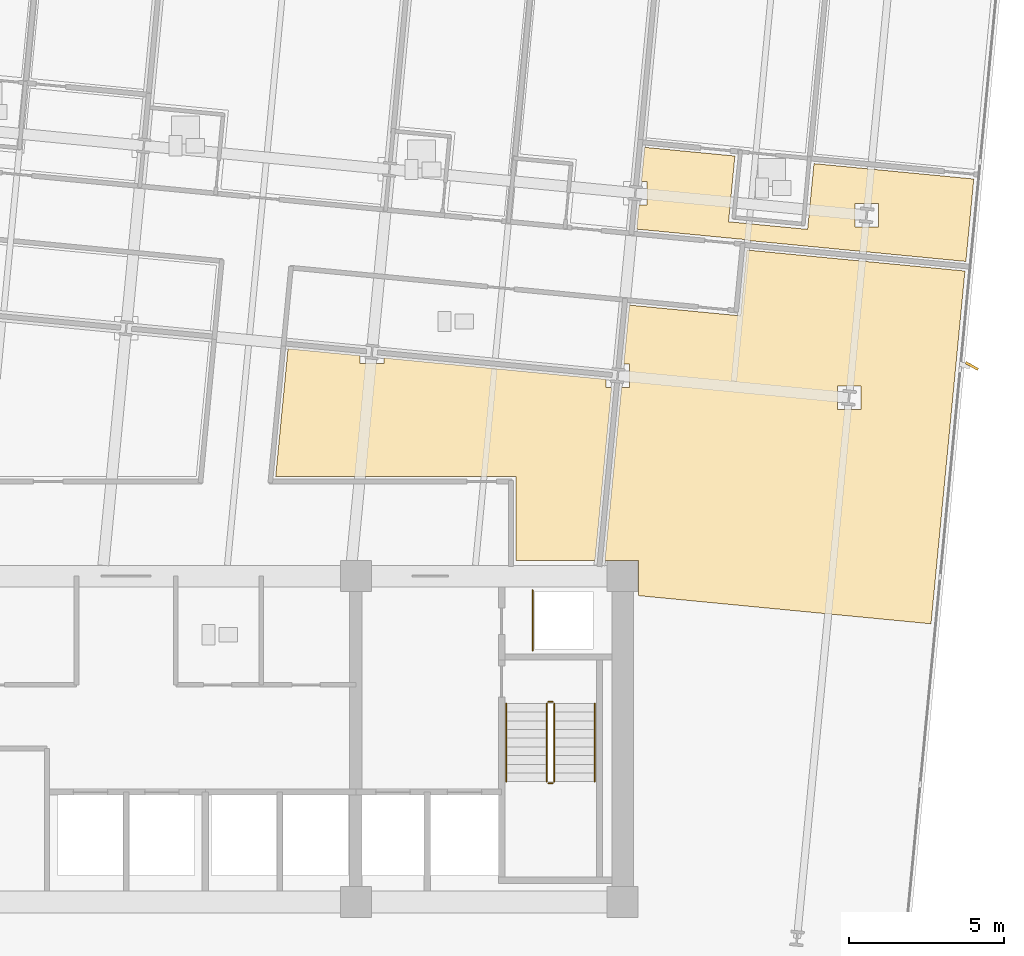
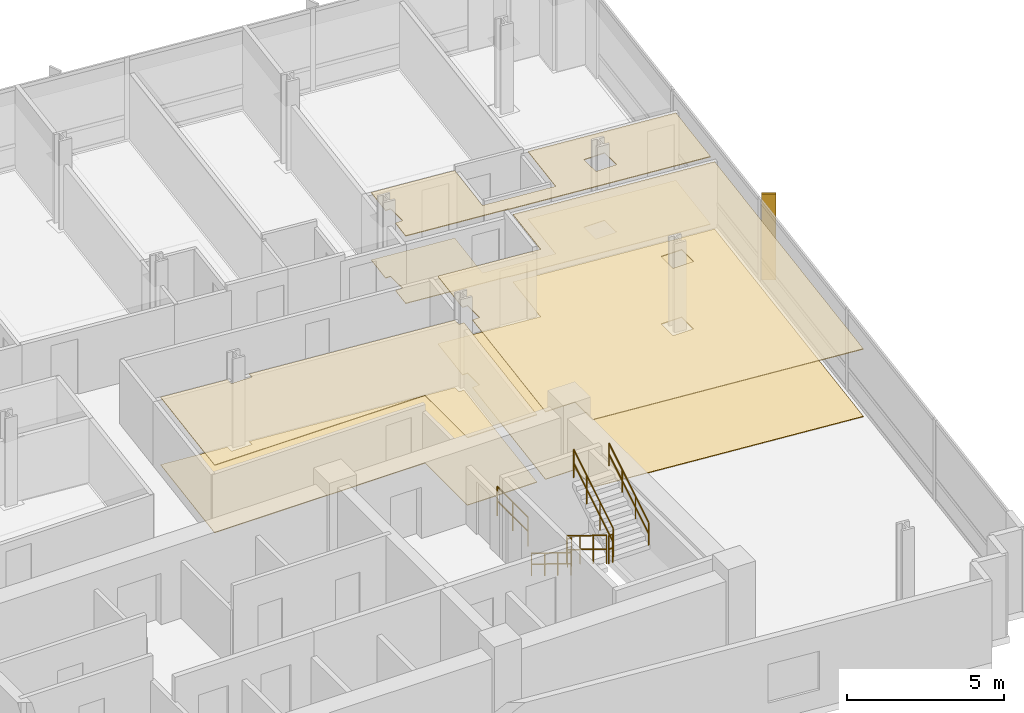
# One storey, part 15 of 17: 7 railings, 6 coverings, 1 shading device.
"""IFC4 building model written with IfcOpenShell, lengths in metres."""

import ifcopenshell
import ifcopenshell.guid

model = None  # the IFC model being written
_history = None  # IfcOwnerHistory: only IFC2X3 demands one
_inside = {}  # id of a spatial element -> (the spatial element, [elements in it])
_under = {}  # id of a project, library or spatial element -> (it, [spatial elements below it])
_declared = {}  # id of a project -> (the project, [libraries it declares])
_typed = {}  # id of a type object -> (the type object, [elements of that type])
_made_of = {}  # id of a material, layer set ... -> (it, [elements and type objects made of it])


def new_model(schema):
    """Start an empty IFC model of exactly this schema.

    Asked for "IFC4X3", IfcOpenShell would pick the latest addendum, in which some entities
    have other attributes; the version numbers below select the first issue.
    IFC2X3 requires an IfcOwnerHistory on every rooted entity: one is made here for all.
    """
    global model, _history
    if schema == "IFC4X3":
        model = ifcopenshell.file(schema_version=(4, 3, 0, 0))
    else:
        model = ifcopenshell.file(schema=schema)
    _inside.clear()
    _under.clear()
    _declared.clear()
    _typed.clear()
    _made_of.clear()
    _history = None
    if model.schema == "IFC2X3":
        org = make("IfcOrganization", Name="unknown")
        user = make(
            "IfcPersonAndOrganization",
            ThePerson=make("IfcPerson", FamilyName="unknown"),
            TheOrganization=org,
        )
        app = make(
            "IfcApplication",
            ApplicationDeveloper=org,
            Version="unknown",
            ApplicationFullName="unknown",
            ApplicationIdentifier="unknown",
        )
        _history = make(
            "IfcOwnerHistory",
            OwningUser=user,
            OwningApplication=app,
            ChangeAction="ADDED",
            CreationDate=0,
        )
    return model


def make(cls, **values):
    """One entity of the class cls with the attributes given. An attribute that is None is left unset."""
    return model.create_entity(
        cls, **{name: value for name, value in values.items() if value is not None}
    )


def rooted(cls, **values):
    """An entity with a GlobalId (a new one), such as an element, a storey or a relation."""
    return make(cls, GlobalId=ifcopenshell.guid.new(), OwnerHistory=_history, **values)


def si_unit(unit_type, name, prefix=None):
    """IfcSIUnit, for example si_unit("LENGTHUNIT", "METRE", prefix="MILLI")."""
    return make("IfcSIUnit", UnitType=unit_type, Prefix=prefix, Name=name)


def assignment(units):
    """IfcUnitAssignment: the units of a project."""
    return None if units is None else make("IfcUnitAssignment", Units=units)


def point(xyz):
    """IfcCartesianPoint."""
    return None if xyz is None else make("IfcCartesianPoint", Coordinates=xyz)


def direction(xyz):
    """IfcDirection."""
    return None if xyz is None else make("IfcDirection", DirectionRatios=xyz)


def frame(location, z_axis=None, x_axis=None):
    """IfcAxis2Placement3D, a coordinate frame: its origin and axes. An axis left out is left unset."""
    return make(
        "IfcAxis2Placement3D",
        Location=point(location),
        Axis=direction(z_axis),
        RefDirection=direction(x_axis),
    )


def frame_2d(location, x_axis=None):
    """IfcAxis2Placement2D, a coordinate frame in the plane: its origin and x axis."""
    return make(
        "IfcAxis2Placement2D", Location=point(location), RefDirection=direction(x_axis)
    )


def origin():
    """The frame at (0, 0, 0) with its axes left unset."""
    return frame((0.0, 0.0, 0.0))


def origin_2d():
    """The frame at (0, 0) in the plane with its x axis left unset."""
    return frame_2d((0.0, 0.0))


def place(relative_to, where):
    """IfcLocalPlacement: puts the frame where relative to a parent placement (None: the world)."""
    return make(
        "IfcLocalPlacement", PlacementRelTo=relative_to, RelativePlacement=where
    )


def context(
    kind, dimensions, precision=None, world=None, true_north=None, identifier=None
):
    """IfcGeometricRepresentationContext, for example the 3D "Model" context."""
    return make(
        "IfcGeometricRepresentationContext",
        ContextIdentifier=identifier,
        ContextType=kind,
        CoordinateSpaceDimension=dimensions,
        Precision=precision,
        WorldCoordinateSystem=world,
        TrueNorth=true_north,
    )


def subcontext(parent, identifier, kind, view, scale=None):
    """IfcGeometricRepresentationSubContext, for example "Body" below "Model"."""
    return make(
        "IfcGeometricRepresentationSubContext",
        ContextIdentifier=identifier,
        ContextType=kind,
        ParentContext=parent,
        TargetScale=scale,
        TargetView=view,
    )


def project(units=None, contexts=None):
    """IfcProject with its units and contexts."""
    return rooted(
        "IfcProject",
        Name="project",
        RepresentationContexts=contexts,
        UnitsInContext=assignment(units),
    )


def spatial(cls, under=None, at=None, **own):
    """A site, building, storey or space (cls), placed at a placement, below another one or the project."""
    s = rooted(cls, ObjectPlacement=at, **own)
    if under is not None:
        _under.setdefault(under.id(), (under, []))[1].append(s)
    return s


def polyline(points):
    """IfcPolyline through the points."""
    return make("IfcPolyline", Points=[point(p) for p in points])


def profile(cls, at=None, kind="AREA", **sizes):
    """A parametric profile (cls). Its sizes go by their IFC names, for example OverallWidth=200.0."""
    return make(cls, ProfileType=kind, Position=at, **sizes)


def rectangle(**sizes):
    """IfcRectangleProfileDef."""
    return profile("IfcRectangleProfileDef", **sizes)


def circle(**sizes):
    """IfcCircleProfileDef."""
    return profile("IfcCircleProfileDef", **sizes)


def outline(outer, holes=None, kind="AREA"):
    """IfcArbitraryClosedProfileDef: a profile drawn as a closed curve; with holes, ...WithVoids."""
    if holes is None:
        return make("IfcArbitraryClosedProfileDef", ProfileType=kind, OuterCurve=outer)
    return make(
        "IfcArbitraryProfileDefWithVoids",
        ProfileType=kind,
        OuterCurve=outer,
        InnerCurves=holes,
    )


def extrude(swept, where, along, depth):
    """IfcExtrudedAreaSolid: the profile swept, set in the frame where, extruded along a direction by depth."""
    return make(
        "IfcExtrudedAreaSolid",
        SweptArea=swept,
        Position=where,
        ExtrudedDirection=direction(along),
        Depth=depth,
    )


def shape(context_of_items, identifier, shape_type, items):
    """IfcShapeRepresentation: the items that make up one representation, for example the "Body"."""
    return make(
        "IfcShapeRepresentation",
        ContextOfItems=context_of_items,
        RepresentationIdentifier=identifier,
        RepresentationType=shape_type,
        Items=items,
    )


def material(Name=None, Category=None):
    """IfcMaterial."""
    return make("IfcMaterial", Name=Name, Category=Category)


def layer(
    of_material, thickness, ventilated=None, Name=None, Category=None, Priority=None
):
    """IfcMaterialLayer: one layer of a wall or slab, of a material (None: an air gap)."""
    return make(
        "IfcMaterialLayer",
        Material=of_material,
        LayerThickness=thickness,
        IsVentilated=ventilated,
        Name=Name,
        Category=Category,
        Priority=Priority,
    )


def layer_set(layers, Name=None):
    """IfcMaterialLayerSet."""
    return make("IfcMaterialLayerSet", MaterialLayers=layers, LayerSetName=Name)


def made_of(thing, what):
    """Note that an element or type object is made of a material, layer set ...; save() writes the relation."""
    if what is not None:
        _made_of.setdefault(what.id(), (what, []))[1].append(thing)
    return thing


def type_object(cls, material=None, **own):
    """A type object (cls), such as IfcWallType, which elements share."""
    return made_of(rooted(cls, **own), material)


def element(
    cls,
    number,
    at=None,
    inside=None,
    cuts=None,
    type_object=None,
    material=None,
    context=None,
    identifier="Body",
    shape_type=None,
    held_by="IfcProductDefinitionShape",
    body=None,
    shapes=None,
    **own,
):
    """One element of the class cls, such as IfcWall. Its Tag is "e" and its number.

    at: its placement. inside: the storey or other place that contains it. cuts: it is an
    opening in that element (IfcRelVoidsElement). A single representation is given by context,
    identifier, shape_type and body (its items); several are given by shapes. held_by: the class
    of the entity that holds the representations. save() writes the other relations.
    """
    e = rooted(cls, Tag="e%d" % number, ObjectPlacement=at, **own)
    if body is not None:
        shapes = [shape(context, identifier, shape_type, body)]
    if shapes is not None:
        e.Representation = make(held_by, Representations=shapes)
    if inside is not None:
        _inside.setdefault(inside.id(), (inside, []))[1].append(e)
    if cuts is not None:
        rooted(
            "IfcRelVoidsElement", RelatingBuildingElement=cuts, RelatedOpeningElement=e
        )
    if type_object is not None:
        _typed.setdefault(type_object.id(), (type_object, []))[1].append(e)
    return made_of(e, material)


def aggregate(whole, parts):
    """IfcRelAggregates: a whole, such as a stair, and the parts it consists of."""
    return rooted("IfcRelAggregates", RelatingObject=whole, RelatedObjects=parts)


def save(model, path):
    """Write the relations noted so far, then the file.

    IfcRelAggregates (storeys below a building ...), IfcRelContainedInSpatialStructure (elements
    in a storey), IfcRelDefinesByType, IfcRelAssociatesMaterial and IfcRelDeclares: one each for
    every whole, place, type object, material and project.
    """
    for whole, parts in _under.values():
        aggregate(whole, parts)
    for where, things in _inside.values():
        rooted(
            "IfcRelContainedInSpatialStructure",
            RelatedElements=things,
            RelatingStructure=where,
        )
    for kind, things in _typed.values():
        rooted("IfcRelDefinesByType", RelatedObjects=things, RelatingType=kind)
    for what, things in _made_of.values():
        rooted("IfcRelAssociatesMaterial", RelatedObjects=things, RelatingMaterial=what)
    for by, libraries in _declared.values():
        rooted("IfcRelDeclares", RelatingContext=by, RelatedDefinitions=libraries)
    model.write(path)


model = new_model("IFC4")

# Units and contexts
model_context = context("Model", 3, precision=1e-05, world=origin(), true_north=direction((0.0, 1.0)))
body_context = subcontext(model_context, "Body", "Model", "MODEL_VIEW")
ifc_project = project(units=[si_unit("LENGTHUNIT", "METRE"), si_unit("AREAUNIT", "SQUARE_METRE"), si_unit("VOLUMEUNIT", "CUBIC_METRE"), si_unit("PLANEANGLEUNIT", "RADIAN"), si_unit("MASSUNIT", "GRAM", prefix="KILO")], contexts=[model_context])

# Site, building, storey
site_placement = place(None, origin())
site = spatial("IfcSite", under=ifc_project, at=site_placement, CompositionType="ELEMENT")
building_placement = place(site_placement, origin())
building = spatial("IfcBuilding", under=site, at=building_placement, Name="Solmavex Isthmus Hotel", CompositionType="ELEMENT")
storey_placement = place(building_placement, frame((0.0, 0.0, 142.800048828125)))
storey = spatial("IfcBuildingStorey", under=building, at=storey_placement, Name="L38", CompositionType="ELEMENT", Elevation=142.800048828125)

# Coverings
ifc_material_1 = material(Name="Gypsum plasterboard lining", Category="gypsum")
ifc_layer_1 = layer(ifc_material_1, 0.030029296875)
ifc_layer_set_1 = layer_set([ifc_layer_1], Name="Gypsum plasterboard lining")
covering_type_1 = type_object("IfcCoveringType", Name="COV-CEIL-GYP", PredefinedType="CEILING", material=ifc_layer_set_1)
covering_1_placement = place(storey_placement, frame((0.0, 0.0, 2.619873046875)))
element("IfcCovering", 1, at=covering_1_placement, inside=storey, type_object=covering_type_1, Name="Suspended Acoustic Ceiling L38-ST07-FY", PredefinedType="CEILING", context=body_context, shape_type="SweptSolid", body=[
    extrude(outline(polyline([(19.614501953125, 11.0390625), (16.703857421875, 11.3193359375), (16.5986328125, 10.22607421875), (16.786376953125, 10.22607421875), (16.786376953125, 9.466064453125), (16.525390625, 9.466064453125), (16.449951171875, 8.68359375), (20.033447265625, 8.33837890625), (20.031494140625, 8.318603515625), (27.05712890625, 7.64208984375), (27.312744140625, 10.2978515625), (22.16259765625, 10.793701171875), (21.958740234375, 8.675537109375), (19.410400390625, 8.9208984375), (19.614501953125, 11.0390625)]), holes=[polyline([(23.479736328125, 8.748291015625), (23.479736328125, 9.50830078125), (24.23974609375, 9.50830078125), (24.23974609375, 8.748291015625), (23.479736328125, 8.748291015625)])]), origin(), (0.0, 0.0, 1.0), 0.030029296875),
])
covering_2_placement = place(storey_placement, frame((0.0, 0.0, 2.619873046875)))
element("IfcCovering", 2, at=covering_2_placement, inside=storey, type_object=covering_type_1, Name="Suspended Acoustic Ceiling L38-FL10", PredefinedType="CEILING", context=body_context, shape_type="SweptSolid", body=[
    extrude(outline(polyline([(8.300537109375, 4.535400390625), (8.300537109375, 4.347900390625), (7.540771484375, 4.347900390625), (7.540771484375, 4.608642578125), (5.21533203125, 4.83251953125), (4.81787109375, 0.705078125), (12.554931640625, 0.705078125), (12.554931640625, -1.9951171875), (15.1103515625, -1.9951171875), (15.647705078125, 3.585205078125), (15.4599609375, 3.585205078125), (15.4599609375, 3.84619140625), (8.300537109375, 4.535400390625)])), origin(), (0.0, 0.0, 1.0), 0.030029296875),
])
covering_3_placement = place(storey_placement, frame((0.0, 0.0, 2.619873046875)))
element("IfcCovering", 3, at=covering_3_placement, inside=storey, type_object=covering_type_1, Name="Suspended Acoustic Ceiling L38-FL11", PredefinedType="CEILING", context=body_context, shape_type="SweptSolid", body=[
    extrude(outline(polyline([(16.0322265625, 4.34521484375), (16.219970703125, 4.34521484375), (16.219970703125, 3.585205078125), (15.959228515625, 3.585205078125), (15.421875, -1.9951171875), (16.5048828125, -1.9951171875), (16.5048828125, -3.126220703125), (25.932861328125, -4.033935546875), (26.603271484375, 2.928955078125), (27.02734375, 7.33349609375), (20.001953125, 8.010009765625), (19.797607421875, 5.8896484375), (16.21435546875, 6.23486328125), (16.0322265625, 4.34521484375)]), holes=[polyline([(22.91357421875, 2.867431640625), (22.91357421875, 3.62744140625), (23.673583984375, 3.62744140625), (23.673583984375, 2.867431640625), (22.91357421875, 2.867431640625)])]), origin(), (0.0, 0.0, 1.0), 0.030029296875),
])
ifc_material_2 = material(Name="Travertine natural stone", Category="masonry")
ifc_layer_2 = layer(ifc_material_2, 0.02490234375)
ifc_layer_set_2 = layer_set([ifc_layer_2], Name="Travertine natural stone")
covering_type_2 = type_object("IfcCoveringType", Name="COV-FLOR-STN", PredefinedType="FLOORING", material=ifc_layer_set_2)
covering_4_placement = place(storey_placement, origin())
element("IfcCovering", 4, at=covering_4_placement, inside=storey, type_object=covering_type_2, Name="Stone and Timber Floor Finish L38-ST07-FY", PredefinedType="FLOORING", context=body_context, shape_type="SweptSolid", body=[
    extrude(outline(polyline([(19.614501953125, 11.0390625), (16.703857421875, 11.3193359375), (16.5986328125, 10.22607421875), (16.786376953125, 10.22607421875), (16.786376953125, 9.466064453125), (16.525390625, 9.466064453125), (16.449951171875, 8.68359375), (20.033447265625, 8.33837890625), (20.031494140625, 8.318603515625), (27.05712890625, 7.64208984375), (27.312744140625, 10.2978515625), (22.16259765625, 10.793701171875), (21.958740234375, 8.675537109375), (19.410400390625, 8.9208984375), (19.614501953125, 11.0390625)]), holes=[polyline([(23.479736328125, 8.748291015625), (23.479736328125, 9.50830078125), (24.23974609375, 9.50830078125), (24.23974609375, 8.748291015625), (23.479736328125, 8.748291015625)])]), origin(), (0.0, 0.0, 1.0), 0.02490234375),
])
covering_5_placement = place(storey_placement, origin())
element("IfcCovering", 5, at=covering_5_placement, inside=storey, type_object=covering_type_2, Name="Stone and Timber Floor Finish L38-FL10", PredefinedType="FLOORING", context=body_context, shape_type="SweptSolid", body=[
    extrude(outline(polyline([(8.300537109375, 4.535400390625), (8.300537109375, 4.347900390625), (7.540771484375, 4.347900390625), (7.540771484375, 4.608642578125), (5.21533203125, 4.83251953125), (4.81787109375, 0.705078125), (12.554931640625, 0.705078125), (12.554931640625, -1.9951171875), (15.1103515625, -1.9951171875), (15.647705078125, 3.585205078125), (15.4599609375, 3.585205078125), (15.4599609375, 3.84619140625), (8.300537109375, 4.535400390625)])), origin(), (0.0, 0.0, 1.0), 0.02490234375),
])
covering_6_placement = place(storey_placement, origin())
element("IfcCovering", 6, at=covering_6_placement, inside=storey, type_object=covering_type_2, Name="Stone and Timber Floor Finish L38-FL11", PredefinedType="FLOORING", context=body_context, shape_type="SweptSolid", body=[
    extrude(outline(polyline([(16.0322265625, 4.34521484375), (16.219970703125, 4.34521484375), (16.219970703125, 3.585205078125), (15.959228515625, 3.585205078125), (15.421875, -1.9951171875), (16.5048828125, -1.9951171875), (16.5048828125, -3.126220703125), (25.932861328125, -4.033935546875), (26.603271484375, 2.928955078125), (27.02734375, 7.33349609375), (20.001953125, 8.010009765625), (19.797607421875, 5.8896484375), (16.21435546875, 6.23486328125), (16.0322265625, 4.34521484375)]), holes=[polyline([(22.91357421875, 2.867431640625), (22.91357421875, 3.62744140625), (23.673583984375, 3.62744140625), (23.673583984375, 2.867431640625), (22.91357421875, 2.867431640625)])]), origin(), (0.0, 0.0, 1.0), 0.02490234375),
])

# Railings
ifc_material_3 = material(Name="Clear low-E laminated glass", Category="glass")
ifc_layer_3 = layer(ifc_material_3, 0.080078125)
ifc_layer_set_3 = layer_set([ifc_layer_3], Name="Clear low-E laminated glass")
railing_type_1 = type_object("IfcRailingType", Name="RAIL-ATRIUM-1120", PredefinedType="BALUSTRADE", material=ifc_layer_set_3)
railing_1_placement = place(storey_placement, frame((13.10009765625, -4.89990234375, 0.0)))
element("IfcRailing", 7, at=railing_1_placement, inside=storey, type_object=railing_type_1, Name="Guardrail Balustrade L38-RSE-01", PredefinedType="BALUSTRADE", context=body_context, shape_type="SweptSolid", body=[
    extrude(circle(Radius=0.02392578125, at=origin_2d()), frame((0.0, 0.0, 1.1259765625), z_axis=(0.0, 1.0, 0.0), x_axis=(-1.0, 0.0, 0.0)), (0.0, 0.0, 1.0), 1.949951171875),
    extrude(circle(Radius=0.02392578125, at=origin_2d()), frame((0.0, 0.0, 0.574951171875), z_axis=(0.0, 1.0, 0.0), x_axis=(-1.0, 0.0, 0.0)), (0.0, 0.0, 1.0), 1.949951171875),
    extrude(circle(Radius=0.02099609375, at=origin_2d()), origin(), (0.0, 0.0, 1.0), 1.101806640625),
    extrude(circle(Radius=0.02099609375, at=origin_2d()), frame((0.0, 0.97509765625, 0.0)), (0.0, 0.0, 1.0), 1.101806640625),
    extrude(circle(Radius=0.02099609375, at=origin_2d()), frame((0.0, 1.949951171875, 0.0)), (0.0, 0.0, 1.0), 1.101806640625),
])
ifc_material_4 = material(Name="Stainless steel 316", Category="steel")
ifc_layer_4 = layer(ifc_material_4, 0.06005859375)
ifc_layer_set_4 = layer_set([ifc_layer_4], Name="Stainless steel 316")
railing_type_2 = type_object("IfcRailingType", Name="RAIL-STAIR-GD", PredefinedType="GUARDRAIL", material=ifc_layer_set_4)
railing_2_placement = place(storey_placement, frame((13.550048828125, -6.60009765625, 0.17236328125)))
element("IfcRailing", 8, at=railing_2_placement, inside=storey, type_object=railing_type_2, Name="L38 ST-2 stair guard 1", PredefinedType="GUARDRAIL", context=body_context, shape_type="SweptSolid", body=[
    extrude(circle(Radius=0.02392578125, at=origin_2d()), frame((0.0, 0.0, 1.09619140625), z_axis=(0.0, -0.851400495292, 0.524516154772), x_axis=(1.0, 0.0, 0.0)), (0.0, 0.0, 1.0), 2.9599609375),
    extrude(circle(Radius=0.02392578125, at=origin_2d()), frame((0.0, 0.0, 0.56005859375), z_axis=(0.0, -0.851400495292, 0.524516154772), x_axis=(1.0, 0.0, 0.0)), (0.0, 0.0, 1.0), 2.9599609375),
    extrude(circle(Radius=0.02099609375, at=origin_2d()), origin(), (0.0, 0.0, 1.0), 1.072021484375),
    extrude(circle(Radius=0.02099609375, at=origin_2d()), frame((0.0, -0.840087890625, 0.517578125)), (0.0, 0.0, 1.0), 1.072021484375),
    extrude(circle(Radius=0.02099609375, at=origin_2d()), frame((0.0, -1.679931640625, 1.034912109375)), (0.0, 0.0, 1.0), 1.072021484375),
    extrude(circle(Radius=0.02099609375, at=origin_2d()), frame((0.0, -2.52001953125, 1.552490234375)), (0.0, 0.0, 1.0), 1.072021484375),
])
railing_3_placement = place(storey_placement, frame((13.60009765625, -9.169921875, 1.724853515625)))
element("IfcRailing", 9, at=railing_3_placement, inside=storey, type_object=railing_type_2, Name="L38 ST-2 stair guard 2", PredefinedType="GUARDRAIL", context=body_context, shape_type="SweptSolid", body=[
    extrude(circle(Radius=0.02392578125, at=origin_2d()), frame((0.0, 0.0, 1.09619140625), z_axis=(1.0, 0.0, 0.0), x_axis=(0.0, 1.0, 0.0)), (0.0, 0.0, 1.0), 0.14990234375),
    extrude(circle(Radius=0.02392578125, at=origin_2d()), frame((0.0, 0.0, 0.56005859375), z_axis=(1.0, 0.0, 0.0), x_axis=(0.0, 1.0, 0.0)), (0.0, 0.0, 1.0), 0.14990234375),
    extrude(circle(Radius=0.02099609375, at=origin_2d()), origin(), (0.0, 0.0, 1.0), 1.072021484375),
    extrude(circle(Radius=0.02099609375, at=origin_2d()), frame((0.14990234375, 0.0, 0.0)), (0.0, 0.0, 1.0), 1.072021484375),
])
railing_4_placement = place(storey_placement, frame((13.800048828125, -9.1201171875, 1.8974609375)))
element("IfcRailing", 10, at=railing_4_placement, inside=storey, type_object=railing_type_2, Name="L38 ST-2 stair guard 3", PredefinedType="GUARDRAIL", context=body_context, shape_type="SweptSolid", body=[
    extrude(circle(Radius=0.02392578125, at=origin_2d()), frame((0.0, 0.0, 1.09619140625), z_axis=(0.0, 0.851400495292, 0.524516154772), x_axis=(-1.0, 0.0, 0.0)), (0.0, 0.0, 1.0), 2.9599609375),
    extrude(circle(Radius=0.02392578125, at=origin_2d()), frame((0.0, 0.0, 0.56005859375), z_axis=(0.0, 0.851400495292, 0.524516154772), x_axis=(-1.0, 0.0, 0.0)), (0.0, 0.0, 1.0), 2.9599609375),
    extrude(circle(Radius=0.02099609375, at=origin_2d()), origin(), (0.0, 0.0, 1.0), 1.072021484375),
    extrude(circle(Radius=0.02099609375, at=origin_2d()), frame((0.0, 0.840087890625, 0.517578125)), (0.0, 0.0, 1.0), 1.072021484375),
    extrude(circle(Radius=0.02099609375, at=origin_2d()), frame((0.0, 1.679931640625, 1.034912109375)), (0.0, 0.0, 1.0), 1.072021484375),
    extrude(circle(Radius=0.02099609375, at=origin_2d()), frame((0.0, 2.52001953125, 1.552490234375)), (0.0, 0.0, 1.0), 1.072021484375),
])
railing_5_placement = place(storey_placement, frame((13.60009765625, -6.550048828125, 0.0)))
element("IfcRailing", 11, at=railing_5_placement, inside=storey, type_object=railing_type_2, Name="L38 ST-2 stair guard 4", PredefinedType="GUARDRAIL", context=body_context, shape_type="SweptSolid", body=[
    extrude(circle(Radius=0.02392578125, at=origin_2d()), frame((0.0, 0.0, 1.09619140625), z_axis=(1.0, 0.0, 0.0), x_axis=(0.0, 1.0, 0.0)), (0.0, 0.0, 1.0), 0.14990234375),
    extrude(circle(Radius=0.02392578125, at=origin_2d()), frame((0.0, 0.0, 0.56005859375), z_axis=(1.0, 0.0, 0.0), x_axis=(0.0, 1.0, 0.0)), (0.0, 0.0, 1.0), 0.14990234375),
    extrude(circle(Radius=0.02099609375, at=origin_2d()), origin(), (0.0, 0.0, 1.0), 1.072021484375),
    extrude(circle(Radius=0.02099609375, at=origin_2d()), frame((0.14990234375, 0.0, 0.0)), (0.0, 0.0, 1.0), 1.072021484375),
])
ifc_layer_5 = layer(ifc_material_4, 0.050048828125)
ifc_layer_set_5 = layer_set([ifc_layer_5], Name="Stainless steel 316")
railing_type_3 = type_object("IfcRailingType", Name="RAIL-STAIR-HR", PredefinedType="HANDRAIL", material=ifc_layer_set_5)
railing_6_placement = place(storey_placement, frame((12.25, -6.60009765625, 0.17236328125)))
element("IfcRailing", 12, at=railing_6_placement, inside=storey, type_object=railing_type_3, Name="L38 ST-2 stair handrail 1", PredefinedType="HANDRAIL", context=body_context, shape_type="SweptSolid", body=[
    extrude(circle(Radius=0.02392578125, at=origin_2d()), frame((0.0, 0.0, 0.8759765625), z_axis=(0.0, -0.851400495292, 0.524516154772), x_axis=(1.0, 0.0, 0.0)), (0.0, 0.0, 1.0), 2.9599609375),
    extrude(circle(Radius=0.02392578125, at=origin_2d()), frame((0.0, 0.0, 0.449951171875), z_axis=(0.0, -0.851400495292, 0.524516154772), x_axis=(1.0, 0.0, 0.0)), (0.0, 0.0, 1.0), 2.9599609375),
    extrude(circle(Radius=0.02099609375, at=origin_2d()), origin(), (0.0, 0.0, 1.0), 0.851806640625),
    extrude(circle(Radius=0.02099609375, at=origin_2d()), frame((0.0, -0.840087890625, 0.517578125)), (0.0, 0.0, 1.0), 0.851806640625),
    extrude(circle(Radius=0.02099609375, at=origin_2d()), frame((0.0, -1.679931640625, 1.034912109375)), (0.0, 0.0, 1.0), 0.851806640625),
    extrude(circle(Radius=0.02099609375, at=origin_2d()), frame((0.0, -2.52001953125, 1.552490234375)), (0.0, 0.0, 1.0), 0.851806640625),
])
railing_7_placement = place(storey_placement, frame((15.10009765625, -9.1201171875, 1.8974609375)))
element("IfcRailing", 13, at=railing_7_placement, inside=storey, type_object=railing_type_3, Name="L38 ST-2 stair handrail 2", PredefinedType="HANDRAIL", context=body_context, shape_type="SweptSolid", body=[
    extrude(circle(Radius=0.02392578125, at=origin_2d()), frame((0.0, 0.0, 0.8759765625), z_axis=(0.0, 0.851400495292, 0.524516154772), x_axis=(-1.0, 0.0, 0.0)), (0.0, 0.0, 1.0), 2.9599609375),
    extrude(circle(Radius=0.02392578125, at=origin_2d()), frame((0.0, 0.0, 0.449951171875), z_axis=(0.0, 0.851400495292, 0.524516154772), x_axis=(-1.0, 0.0, 0.0)), (0.0, 0.0, 1.0), 2.9599609375),
    extrude(circle(Radius=0.02099609375, at=origin_2d()), origin(), (0.0, 0.0, 1.0), 0.851806640625),
    extrude(circle(Radius=0.02099609375, at=origin_2d()), frame((0.0, 0.840087890625, 0.517578125)), (0.0, 0.0, 1.0), 0.851806640625),
    extrude(circle(Radius=0.02099609375, at=origin_2d()), frame((0.0, 1.679931640625, 1.034912109375)), (0.0, 0.0, 1.0), 0.851806640625),
    extrude(circle(Radius=0.02099609375, at=origin_2d()), frame((0.0, 2.52001953125, 1.552490234375)), (0.0, 0.0, 1.0), 0.851806640625),
])

# Shading device
ifc_material_5 = material(Name="Aluminium alloy 6063-T6", Category="aluminium")
shading_device_type = type_object("IfcShadingDeviceType", Name="SHD-FIN-BRONZE", PredefinedType="USERDEFINED", material=ifc_material_5)
shading_device_placement = place(storey_placement, frame((27.25, 4.27294921875, -0.14013671875), z_axis=(0.0, 0.0, 1.0), x_axis=(0.87035569594, -0.492423560103, 0.0)))
element("IfcShadingDevice", 14, at=shading_device_placement, inside=storey, type_object=shading_device_type, Name="Anodised Aluminium Solar Fin L38-E1", ObjectType="SOLAR_FIN", PredefinedType="USERDEFINED", context=body_context, shape_type="SweptSolid", body=[
    extrude(rectangle(XDim=0.449951171875, YDim=0.080078125, at=origin_2d()), origin(), (0.0, 0.0, 1.0), 3.330078125),
])

save(model, "model.ifc")
